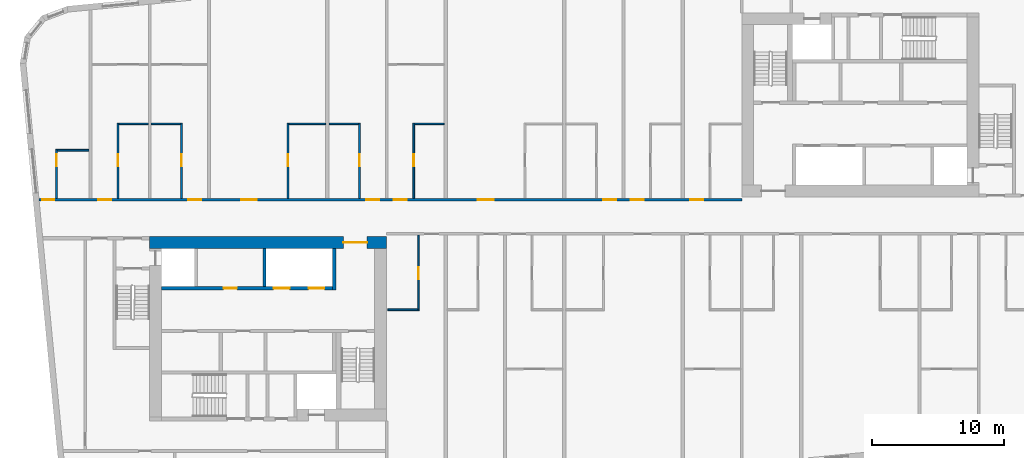
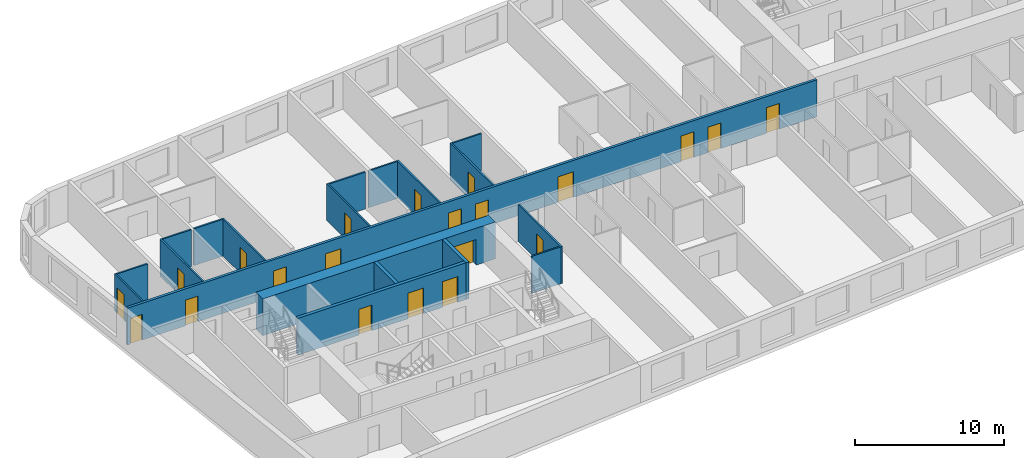
# One storey, part 3 of 12: 21 doors, 19 walls, 21 openings.
"""IFC4 building model written with IfcOpenShell, lengths in metres."""

import ifcopenshell
import ifcopenshell.guid

model = None  # the IFC model being written
_history = None  # IfcOwnerHistory: only IFC2X3 demands one
_inside = {}  # id of a spatial element -> (the spatial element, [elements in it])
_under = {}  # id of a project, library or spatial element -> (it, [spatial elements below it])
_declared = {}  # id of a project -> (the project, [libraries it declares])
_typed = {}  # id of a type object -> (the type object, [elements of that type])
_made_of = {}  # id of a material, layer set ... -> (it, [elements and type objects made of it])


def new_model(schema):
    """Start an empty IFC model of exactly this schema.

    Asked for "IFC4X3", IfcOpenShell would pick the latest addendum, in which some entities
    have other attributes; the version numbers below select the first issue.
    IFC2X3 requires an IfcOwnerHistory on every rooted entity: one is made here for all.
    """
    global model, _history
    if schema == "IFC4X3":
        model = ifcopenshell.file(schema_version=(4, 3, 0, 0))
    else:
        model = ifcopenshell.file(schema=schema)
    _inside.clear()
    _under.clear()
    _declared.clear()
    _typed.clear()
    _made_of.clear()
    _history = None
    if model.schema == "IFC2X3":
        org = make("IfcOrganization", Name="unknown")
        user = make(
            "IfcPersonAndOrganization",
            ThePerson=make("IfcPerson", FamilyName="unknown"),
            TheOrganization=org,
        )
        app = make(
            "IfcApplication",
            ApplicationDeveloper=org,
            Version="unknown",
            ApplicationFullName="unknown",
            ApplicationIdentifier="unknown",
        )
        _history = make(
            "IfcOwnerHistory",
            OwningUser=user,
            OwningApplication=app,
            ChangeAction="ADDED",
            CreationDate=0,
        )
    return model


def make(cls, **values):
    """One entity of the class cls with the attributes given. An attribute that is None is left unset."""
    return model.create_entity(
        cls, **{name: value for name, value in values.items() if value is not None}
    )


def rooted(cls, **values):
    """An entity with a GlobalId (a new one), such as an element, a storey or a relation."""
    return make(cls, GlobalId=ifcopenshell.guid.new(), OwnerHistory=_history, **values)


def si_unit(unit_type, name, prefix=None):
    """IfcSIUnit, for example si_unit("LENGTHUNIT", "METRE", prefix="MILLI")."""
    return make("IfcSIUnit", UnitType=unit_type, Prefix=prefix, Name=name)


def assignment(units):
    """IfcUnitAssignment: the units of a project."""
    return None if units is None else make("IfcUnitAssignment", Units=units)


def point(xyz):
    """IfcCartesianPoint."""
    return None if xyz is None else make("IfcCartesianPoint", Coordinates=xyz)


def direction(xyz):
    """IfcDirection."""
    return None if xyz is None else make("IfcDirection", DirectionRatios=xyz)


def frame(location, z_axis=None, x_axis=None):
    """IfcAxis2Placement3D, a coordinate frame: its origin and axes. An axis left out is left unset."""
    return make(
        "IfcAxis2Placement3D",
        Location=point(location),
        Axis=direction(z_axis),
        RefDirection=direction(x_axis),
    )


def frame_2d(location, x_axis=None):
    """IfcAxis2Placement2D, a coordinate frame in the plane: its origin and x axis."""
    return make(
        "IfcAxis2Placement2D", Location=point(location), RefDirection=direction(x_axis)
    )


def origin():
    """The frame at (0, 0, 0) with its axes left unset."""
    return frame((0.0, 0.0, 0.0))


def place(relative_to, where):
    """IfcLocalPlacement: puts the frame where relative to a parent placement (None: the world)."""
    return make(
        "IfcLocalPlacement", PlacementRelTo=relative_to, RelativePlacement=where
    )


def context(
    kind, dimensions, precision=None, world=None, true_north=None, identifier=None
):
    """IfcGeometricRepresentationContext, for example the 3D "Model" context."""
    return make(
        "IfcGeometricRepresentationContext",
        ContextIdentifier=identifier,
        ContextType=kind,
        CoordinateSpaceDimension=dimensions,
        Precision=precision,
        WorldCoordinateSystem=world,
        TrueNorth=true_north,
    )


def subcontext(parent, identifier, kind, view, scale=None):
    """IfcGeometricRepresentationSubContext, for example "Body" below "Model"."""
    return make(
        "IfcGeometricRepresentationSubContext",
        ContextIdentifier=identifier,
        ContextType=kind,
        ParentContext=parent,
        TargetScale=scale,
        TargetView=view,
    )


def project(units=None, contexts=None):
    """IfcProject with its units and contexts."""
    return rooted(
        "IfcProject",
        Name="project",
        RepresentationContexts=contexts,
        UnitsInContext=assignment(units),
    )


def spatial(cls, under=None, at=None, **own):
    """A site, building, storey or space (cls), placed at a placement, below another one or the project."""
    s = rooted(cls, ObjectPlacement=at, **own)
    if under is not None:
        _under.setdefault(under.id(), (under, []))[1].append(s)
    return s


def profile(cls, at=None, kind="AREA", **sizes):
    """A parametric profile (cls). Its sizes go by their IFC names, for example OverallWidth=200.0."""
    return make(cls, ProfileType=kind, Position=at, **sizes)


def rectangle(**sizes):
    """IfcRectangleProfileDef."""
    return profile("IfcRectangleProfileDef", **sizes)


def extrude(swept, where, along, depth):
    """IfcExtrudedAreaSolid: the profile swept, set in the frame where, extruded along a direction by depth."""
    return make(
        "IfcExtrudedAreaSolid",
        SweptArea=swept,
        Position=where,
        ExtrudedDirection=direction(along),
        Depth=depth,
    )


def shape(context_of_items, identifier, shape_type, items):
    """IfcShapeRepresentation: the items that make up one representation, for example the "Body"."""
    return make(
        "IfcShapeRepresentation",
        ContextOfItems=context_of_items,
        RepresentationIdentifier=identifier,
        RepresentationType=shape_type,
        Items=items,
    )


def material(Name=None, Category=None):
    """IfcMaterial."""
    return make("IfcMaterial", Name=Name, Category=Category)


def layer(
    of_material, thickness, ventilated=None, Name=None, Category=None, Priority=None
):
    """IfcMaterialLayer: one layer of a wall or slab, of a material (None: an air gap)."""
    return make(
        "IfcMaterialLayer",
        Material=of_material,
        LayerThickness=thickness,
        IsVentilated=ventilated,
        Name=Name,
        Category=Category,
        Priority=Priority,
    )


def layer_set(layers, Name=None):
    """IfcMaterialLayerSet."""
    return make("IfcMaterialLayerSet", MaterialLayers=layers, LayerSetName=Name)


def made_of(thing, what):
    """Note that an element or type object is made of a material, layer set ...; save() writes the relation."""
    if what is not None:
        _made_of.setdefault(what.id(), (what, []))[1].append(thing)
    return thing


def type_object(cls, material=None, **own):
    """A type object (cls), such as IfcWallType, which elements share."""
    return made_of(rooted(cls, **own), material)


def element(
    cls,
    number,
    at=None,
    inside=None,
    cuts=None,
    type_object=None,
    material=None,
    context=None,
    identifier="Body",
    shape_type=None,
    held_by="IfcProductDefinitionShape",
    body=None,
    shapes=None,
    **own,
):
    """One element of the class cls, such as IfcWall. Its Tag is "e" and its number.

    at: its placement. inside: the storey or other place that contains it. cuts: it is an
    opening in that element (IfcRelVoidsElement). A single representation is given by context,
    identifier, shape_type and body (its items); several are given by shapes. held_by: the class
    of the entity that holds the representations. save() writes the other relations.
    """
    e = rooted(cls, Tag="e%d" % number, ObjectPlacement=at, **own)
    if body is not None:
        shapes = [shape(context, identifier, shape_type, body)]
    if shapes is not None:
        e.Representation = make(held_by, Representations=shapes)
    if inside is not None:
        _inside.setdefault(inside.id(), (inside, []))[1].append(e)
    if cuts is not None:
        rooted(
            "IfcRelVoidsElement", RelatingBuildingElement=cuts, RelatedOpeningElement=e
        )
    if type_object is not None:
        _typed.setdefault(type_object.id(), (type_object, []))[1].append(e)
    return made_of(e, material)


def fill(opening, filler):
    """IfcRelFillsElement: the door or window that sits in an opening."""
    return rooted(
        "IfcRelFillsElement",
        RelatingOpeningElement=opening,
        RelatedBuildingElement=filler,
    )


def aggregate(whole, parts):
    """IfcRelAggregates: a whole, such as a stair, and the parts it consists of."""
    return rooted("IfcRelAggregates", RelatingObject=whole, RelatedObjects=parts)


def save(model, path):
    """Write the relations noted so far, then the file.

    IfcRelAggregates (storeys below a building ...), IfcRelContainedInSpatialStructure (elements
    in a storey), IfcRelDefinesByType, IfcRelAssociatesMaterial and IfcRelDeclares: one each for
    every whole, place, type object, material and project.
    """
    for whole, parts in _under.values():
        aggregate(whole, parts)
    for where, things in _inside.values():
        rooted(
            "IfcRelContainedInSpatialStructure",
            RelatedElements=things,
            RelatingStructure=where,
        )
    for kind, things in _typed.values():
        rooted("IfcRelDefinesByType", RelatedObjects=things, RelatingType=kind)
    for what, things in _made_of.values():
        rooted("IfcRelAssociatesMaterial", RelatedObjects=things, RelatingMaterial=what)
    for by, libraries in _declared.values():
        rooted("IfcRelDeclares", RelatingContext=by, RelatedDefinitions=libraries)
    model.write(path)


model = new_model("IFC4")

# Units and contexts
model_context = context("Model", 3, precision=1e-05, world=origin(), true_north=direction((0.0, 1.0)))
body_context = subcontext(model_context, "Body", "Model", "MODEL_VIEW")
ifc_project = project(units=[si_unit("LENGTHUNIT", "METRE"), si_unit("AREAUNIT", "SQUARE_METRE"), si_unit("VOLUMEUNIT", "CUBIC_METRE"), si_unit("PLANEANGLEUNIT", "RADIAN"), si_unit("MASSUNIT", "GRAM", prefix="KILO")], contexts=[model_context])

# Site, building, storey
site_placement = place(None, origin())
site = spatial("IfcSite", under=ifc_project, at=site_placement, CompositionType="ELEMENT")
building_placement = place(site_placement, origin())
building = spatial("IfcBuilding", under=site, at=building_placement, Name="Kajstack Hotel Tower", CompositionType="ELEMENT")
storey_placement = place(building_placement, frame((0.0, 0.0, 294.89990234375)))
storey = spatial("IfcBuildingStorey", under=building, at=storey_placement, Name="L74", CompositionType="ELEMENT", Elevation=294.89990234375)

# Wall, opening, door
ifc_material_1 = material(Name="Concrete C60/75", Category="concrete")
ifc_layer_1 = layer(ifc_material_1, 0.89990234375)
ifc_layer_set_1 = layer_set([ifc_layer_1], Name="Core wall 900")
wall_type_1 = type_object("IfcWallType", Name="Core wall 900", PredefinedType="SHEAR", material=ifc_layer_set_1)
wall_1_placement = place(storey_placement, frame((-31.5, -1.949951171875, 0.0), z_axis=(0.0, 0.0, 1.0), x_axis=(1.0, 0.0, 0.0)))
wall_1 = element("IfcWall", 1, at=wall_1_placement, inside=storey, type_object=wall_type_1, Name="Core wall W RN", PredefinedType="SHEAR", context=body_context, shape_type="SweptSolid", body=[
    extrude(rectangle(XDim=18.0, YDim=0.89990234375, at=frame_2d((9.0, 0.0))), origin(), (0.0, 0.0, 1.0), 3.02001953125),
])
opening_1_placement = place(wall_1_placement, frame((14.72509765625, 0.0, 0.0)))
opening_1 = element("IfcOpeningElement", 2, at=opening_1_placement, cuts=wall_1, Name="Opening 74W05", PredefinedType="OPENING", context=body_context, shape_type="SweptSolid", body=[
    extrude(rectangle(XDim=1.800048828125, YDim=2.10009765625, at=frame_2d((0.89990234375, 1.050048828125))), frame((0.0, 0.4599609375, 0.0), z_axis=(0.0, -1.0, 0.0), x_axis=(1.0, 0.0, 0.0)), (0.0, 0.0, 1.0), 0.919921875),
])
ifc_material_2 = material(Name="Glazed steel frame, fire-rated glass", Category="steel")
door_type_1 = type_object("IfcDoorType", Name="Lobby double door 1800", OperationType="DOUBLE_DOOR_DOUBLE_SWING", PredefinedType="DOOR", material=ifc_material_2)
door_1_placement = place(opening_1_placement, origin())
door_1 = element("IfcDoor", 3, at=door_1_placement, inside=storey, type_object=door_type_1, Name="Door 74W05", OperationType="DOUBLE_DOOR_DOUBLE_SWING", OverallHeight=2.10009765625, OverallWidth=1.800048828125, PredefinedType="DOOR", context=body_context, shape_type="SweptSolid", body=[
    extrude(rectangle(XDim=1.800048828125, YDim=2.10009765625, at=frame_2d((0.89990234375, 1.050048828125))), frame((0.0, 0.02490234375, 0.0), z_axis=(0.0, -1.0, 0.0), x_axis=(1.0, 0.0, 0.0)), (0.0, 0.0, 1.0), 0.050048828125),
])
fill(opening_1, door_1)

# Wall, openings, doors
ifc_material_3 = material(Name="Gypsum board on steel studs, mineral wool", Category="steel")
ifc_layer_2 = layer(ifc_material_3, 0.199951171875)
ifc_layer_set_2 = layer_set([ifc_layer_2], Name="Corridor wall 200")
wall_type_2 = type_object("IfcWallType", Name="Corridor wall 200", PredefinedType="PARTITIONING", material=ifc_layer_set_2)
wall_2_placement = place(storey_placement, frame((-39.908935546875, 1.300048828125, 0.0), z_axis=(0.0, 0.0, 1.0), x_axis=(1.0, 0.0, 0.0)))
wall_2 = element("IfcWall", 4, at=wall_2_placement, inside=storey, type_object=wall_type_2, Name="G-wall-L74-003", PredefinedType="PARTITIONING", context=body_context, shape_type="SweptSolid", body=[
    extrude(rectangle(XDim=53.408935546875, YDim=0.199951171875, at=frame_2d((26.70458984375, 0.0))), origin(), (0.0, 0.0, 1.0), 3.02001953125),
])
opening_2_placement = place(wall_2_placement, frame((0.2548828125, 0.0, 0.0)))
opening_2 = element("IfcOpeningElement", 5, at=opening_2_placement, cuts=wall_2, Name="Opening 74001", PredefinedType="OPENING", context=body_context, shape_type="SweptSolid", body=[
    extrude(rectangle(XDim=0.89990234375, YDim=2.10009765625, at=frame_2d((0.449951171875, 1.050048828125))), frame((0.0, 0.10986328125, 0.0), z_axis=(0.0, -1.0, 0.0), x_axis=(1.0, 0.0, 0.0)), (0.0, 0.0, 1.0), 0.219970703125),
])
opening_3_placement = place(wall_2_placement, frame((4.48388671875, 0.0, 0.0)))
opening_3 = element("IfcOpeningElement", 6, at=opening_3_placement, cuts=wall_2, Name="Opening 74003", PredefinedType="OPENING", context=body_context, shape_type="SweptSolid", body=[
    extrude(rectangle(XDim=1.0, YDim=2.10009765625, at=frame_2d((0.5, 1.050048828125))), frame((0.0, 0.10986328125, 0.0), z_axis=(0.0, -1.0, 0.0), x_axis=(1.0, 0.0, 0.0)), (0.0, 0.0, 1.0), 0.219970703125),
])
opening_4_placement = place(wall_2_placement, frame((11.333984375, 0.0, 0.0)))
opening_4 = element("IfcOpeningElement", 7, at=opening_4_placement, cuts=wall_2, Name="Opening 74006", PredefinedType="OPENING", context=body_context, shape_type="SweptSolid", body=[
    extrude(rectangle(XDim=1.0, YDim=2.10009765625, at=frame_2d((0.5, 1.050048828125))), frame((0.0, 0.10986328125, 0.0), z_axis=(0.0, -1.0, 0.0), x_axis=(1.0, 0.0, 0.0)), (0.0, 0.0, 1.0), 0.219970703125),
])
opening_5_placement = place(wall_2_placement, frame((15.346923828125, 0.0, 0.0)))
opening_5 = element("IfcOpeningElement", 8, at=opening_5_placement, cuts=wall_2, Name="Opening 74009", PredefinedType="OPENING", context=body_context, shape_type="SweptSolid", body=[
    extrude(rectangle(XDim=1.199951171875, YDim=2.10009765625, at=frame_2d((0.60009765625, 1.050048828125))), frame((0.0, 0.10986328125, 0.0), z_axis=(0.0, -1.0, 0.0), x_axis=(1.0, 0.0, 0.0)), (0.0, 0.0, 1.0), 0.219970703125),
])
opening_6_placement = place(wall_2_placement, frame((24.85888671875, 0.0, 0.0)))
opening_6 = element("IfcOpeningElement", 9, at=opening_6_placement, cuts=wall_2, Name="Opening 74011", PredefinedType="OPENING", context=body_context, shape_type="SweptSolid", body=[
    extrude(rectangle(XDim=1.0, YDim=2.10009765625, at=frame_2d((0.5, 1.050048828125))), frame((0.0, 0.10986328125, 0.0), z_axis=(0.0, -1.0, 0.0), x_axis=(1.0, 0.0, 0.0)), (0.0, 0.0, 1.0), 0.219970703125),
])
opening_7_placement = place(wall_2_placement, frame((26.958984375, 0.0, 0.0)))
opening_7 = element("IfcOpeningElement", 10, at=opening_7_placement, cuts=wall_2, Name="Opening 74013", PredefinedType="OPENING", context=body_context, shape_type="SweptSolid", body=[
    extrude(rectangle(XDim=1.0, YDim=2.10009765625, at=frame_2d((0.5, 1.050048828125))), frame((0.0, 0.10986328125, 0.0), z_axis=(0.0, -1.0, 0.0), x_axis=(1.0, 0.0, 0.0)), (0.0, 0.0, 1.0), 0.219970703125),
])
opening_8_placement = place(wall_2_placement, frame((33.345947265625, 0.0, 0.0)))
opening_8 = element("IfcOpeningElement", 11, at=opening_8_placement, cuts=wall_2, Name="Opening 74016", PredefinedType="OPENING", context=body_context, shape_type="SweptSolid", body=[
    extrude(rectangle(XDim=1.199951171875, YDim=2.10009765625, at=frame_2d((0.60009765625, 1.050048828125))), frame((0.0, 0.10986328125, 0.0), z_axis=(0.0, -1.0, 0.0), x_axis=(1.0, 0.0, 0.0)), (0.0, 0.0, 1.0), 0.219970703125),
])
opening_9_placement = place(wall_2_placement, frame((42.85888671875, 0.0, 0.0)))
opening_9 = element("IfcOpeningElement", 12, at=opening_9_placement, cuts=wall_2, Name="Opening 74018", PredefinedType="OPENING", context=body_context, shape_type="SweptSolid", body=[
    extrude(rectangle(XDim=1.0, YDim=2.10009765625, at=frame_2d((0.5, 1.050048828125))), frame((0.0, 0.10986328125, 0.0), z_axis=(0.0, -1.0, 0.0), x_axis=(1.0, 0.0, 0.0)), (0.0, 0.0, 1.0), 0.219970703125),
])
opening_10_placement = place(wall_2_placement, frame((44.958984375, 0.0, 0.0)))
opening_10 = element("IfcOpeningElement", 13, at=opening_10_placement, cuts=wall_2, Name="Opening 74020", PredefinedType="OPENING", context=body_context, shape_type="SweptSolid", body=[
    extrude(rectangle(XDim=1.0, YDim=2.10009765625, at=frame_2d((0.5, 1.050048828125))), frame((0.0, 0.10986328125, 0.0), z_axis=(0.0, -1.0, 0.0), x_axis=(1.0, 0.0, 0.0)), (0.0, 0.0, 1.0), 0.219970703125),
])
opening_11_placement = place(wall_2_placement, frame((49.48388671875, 0.0, 0.0)))
opening_11 = element("IfcOpeningElement", 14, at=opening_11_placement, cuts=wall_2, Name="Opening 74022", PredefinedType="OPENING", context=body_context, shape_type="SweptSolid", body=[
    extrude(rectangle(XDim=1.0, YDim=2.10009765625, at=frame_2d((0.5, 1.050048828125))), frame((0.0, 0.10986328125, 0.0), z_axis=(0.0, -1.0, 0.0), x_axis=(1.0, 0.0, 0.0)), (0.0, 0.0, 1.0), 0.219970703125),
])
ifc_material_4 = material(Name="Oak veneer on timber core, fire-rated leaf", Category="wood")
door_type_2 = type_object("IfcDoorType", Name="Flat entrance door 1000", OperationType="SINGLE_SWING_LEFT", PredefinedType="DOOR", material=ifc_material_4)
door_2_placement = place(opening_3_placement, origin())
door_2 = element("IfcDoor", 15, at=door_2_placement, inside=storey, type_object=door_type_2, Name="G-door-L74-03", OperationType="SINGLE_SWING_LEFT", OverallHeight=2.10009765625, OverallWidth=1.0, PredefinedType="DOOR", context=body_context, shape_type="SweptSolid", body=[
    extrude(rectangle(XDim=1.0, YDim=2.10009765625, at=frame_2d((0.5, 1.050048828125))), frame((0.0, 0.02490234375, 0.0), z_axis=(0.0, -1.0, 0.0), x_axis=(1.0, 0.0, 0.0)), (0.0, 0.0, 1.0), 0.050048828125),
])
fill(opening_3, door_2)
door_3_placement = place(opening_4_placement, origin())
door_3 = element("IfcDoor", 16, at=door_3_placement, inside=storey, type_object=door_type_2, Name="G-door-L74-06", OperationType="SINGLE_SWING_RIGHT", OverallHeight=2.10009765625, OverallWidth=1.0, PredefinedType="DOOR", context=body_context, shape_type="SweptSolid", body=[
    extrude(rectangle(XDim=1.0, YDim=2.10009765625, at=frame_2d((0.5, 1.050048828125))), frame((0.0, 0.02490234375, 0.0), z_axis=(0.0, -1.0, 0.0), x_axis=(1.0, 0.0, 0.0)), (0.0, 0.0, 1.0), 0.050048828125),
])
fill(opening_4, door_3)
door_4_placement = place(opening_6_placement, origin())
door_4 = element("IfcDoor", 17, at=door_4_placement, inside=storey, type_object=door_type_2, Name="G-door-L74-11", OperationType="SINGLE_SWING_RIGHT", OverallHeight=2.10009765625, OverallWidth=1.0, PredefinedType="DOOR", context=body_context, shape_type="SweptSolid", body=[
    extrude(rectangle(XDim=1.0, YDim=2.10009765625, at=frame_2d((0.5, 1.050048828125))), frame((0.0, 0.02490234375, 0.0), z_axis=(0.0, -1.0, 0.0), x_axis=(1.0, 0.0, 0.0)), (0.0, 0.0, 1.0), 0.050048828125),
])
fill(opening_6, door_4)
door_5_placement = place(opening_7_placement, origin())
door_5 = element("IfcDoor", 18, at=door_5_placement, inside=storey, type_object=door_type_2, Name="G-door-L74-13", OperationType="SINGLE_SWING_RIGHT", OverallHeight=2.10009765625, OverallWidth=1.0, PredefinedType="DOOR", context=body_context, shape_type="SweptSolid", body=[
    extrude(rectangle(XDim=1.0, YDim=2.10009765625, at=frame_2d((0.5, 1.050048828125))), frame((0.0, 0.02490234375, 0.0), z_axis=(0.0, -1.0, 0.0), x_axis=(1.0, 0.0, 0.0)), (0.0, 0.0, 1.0), 0.050048828125),
])
fill(opening_7, door_5)
door_6_placement = place(opening_9_placement, origin())
door_6 = element("IfcDoor", 19, at=door_6_placement, inside=storey, type_object=door_type_2, Name="G-door-L74-18", OperationType="SINGLE_SWING_RIGHT", OverallHeight=2.10009765625, OverallWidth=1.0, PredefinedType="DOOR", context=body_context, shape_type="SweptSolid", body=[
    extrude(rectangle(XDim=1.0, YDim=2.10009765625, at=frame_2d((0.5, 1.050048828125))), frame((0.0, 0.02490234375, 0.0), z_axis=(0.0, -1.0, 0.0), x_axis=(1.0, 0.0, 0.0)), (0.0, 0.0, 1.0), 0.050048828125),
])
fill(opening_9, door_6)
door_7_placement = place(opening_10_placement, origin())
door_7 = element("IfcDoor", 20, at=door_7_placement, inside=storey, type_object=door_type_2, Name="G-door-L74-20", OperationType="SINGLE_SWING_LEFT", OverallHeight=2.10009765625, OverallWidth=1.0, PredefinedType="DOOR", context=body_context, shape_type="SweptSolid", body=[
    extrude(rectangle(XDim=1.0, YDim=2.10009765625, at=frame_2d((0.5, 1.050048828125))), frame((0.0, 0.02490234375, 0.0), z_axis=(0.0, -1.0, 0.0), x_axis=(1.0, 0.0, 0.0)), (0.0, 0.0, 1.0), 0.050048828125),
])
fill(opening_10, door_7)
door_8_placement = place(opening_11_placement, origin())
door_8 = element("IfcDoor", 21, at=door_8_placement, inside=storey, type_object=door_type_2, Name="G-door-L74-22", OperationType="SINGLE_SWING_LEFT", OverallHeight=2.10009765625, OverallWidth=1.0, PredefinedType="DOOR", context=body_context, shape_type="SweptSolid", body=[
    extrude(rectangle(XDim=1.0, YDim=2.10009765625, at=frame_2d((0.5, 1.050048828125))), frame((0.0, 0.02490234375, 0.0), z_axis=(0.0, -1.0, 0.0), x_axis=(1.0, 0.0, 0.0)), (0.0, 0.0, 1.0), 0.050048828125),
])
fill(opening_11, door_8)
door_type_3 = type_object("IfcDoorType", Name="Flat entrance door 1200", OperationType="SINGLE_SWING_LEFT", PredefinedType="DOOR", material=ifc_material_4)
door_9_placement = place(opening_5_placement, origin())
door_9 = element("IfcDoor", 22, at=door_9_placement, inside=storey, type_object=door_type_3, Name="G-door-L74-09", OperationType="SINGLE_SWING_RIGHT", OverallHeight=2.10009765625, OverallWidth=1.199951171875, PredefinedType="DOOR", context=body_context, shape_type="SweptSolid", body=[
    extrude(rectangle(XDim=1.199951171875, YDim=2.10009765625, at=frame_2d((0.60009765625, 1.050048828125))), frame((0.0, 0.02490234375, 0.0), z_axis=(0.0, -1.0, 0.0), x_axis=(1.0, 0.0, 0.0)), (0.0, 0.0, 1.0), 0.050048828125),
])
fill(opening_5, door_9)
door_10_placement = place(opening_8_placement, origin())
door_10 = element("IfcDoor", 23, at=door_10_placement, inside=storey, type_object=door_type_3, Name="G-door-L74-16", OperationType="SINGLE_SWING_LEFT", OverallHeight=2.10009765625, OverallWidth=1.199951171875, PredefinedType="DOOR", context=body_context, shape_type="SweptSolid", body=[
    extrude(rectangle(XDim=1.199951171875, YDim=2.10009765625, at=frame_2d((0.60009765625, 1.050048828125))), frame((0.0, 0.02490234375, 0.0), z_axis=(0.0, -1.0, 0.0), x_axis=(1.0, 0.0, 0.0)), (0.0, 0.0, 1.0), 0.050048828125),
])
fill(opening_8, door_10)
ifc_material_5 = material(Name="Painted timber door leaf", Category="wood")
door_type_4 = type_object("IfcDoorType", Name="Room door 900", OperationType="SINGLE_SWING_LEFT", PredefinedType="DOOR", material=ifc_material_5)
door_11_placement = place(opening_2_placement, origin())
door_11 = element("IfcDoor", 24, at=door_11_placement, inside=storey, type_object=door_type_4, Name="G-door-L74-01", OperationType="SINGLE_SWING_RIGHT", OverallHeight=2.10009765625, OverallWidth=0.89990234375, PredefinedType="DOOR", context=body_context, shape_type="SweptSolid", body=[
    extrude(rectangle(XDim=0.89990234375, YDim=2.10009765625, at=frame_2d((0.449951171875, 1.050048828125))), frame((0.0, 0.02490234375, 0.0), z_axis=(0.0, -1.0, 0.0), x_axis=(1.0, 0.0, 0.0)), (0.0, 0.0, 1.0), 0.050048828125),
])
fill(opening_2, door_11)

# Wall, opening, door
ifc_material_6 = material(Name="Gypsum board and tiled backer on steel studs", Category="steel")
ifc_layer_3 = layer(ifc_material_6, 0.125)
ifc_layer_set_3 = layer_set([ifc_layer_3], Name="En-suite wall 125")
wall_type_3 = type_object("IfcWallType", Name="En-suite wall 125", PredefinedType="PARTITIONING", material=ifc_layer_set_3)
wall_3_placement = place(storey_placement, frame((-38.5869140625, 1.39990234375, 0.0), z_axis=(0.0, 0.0, 1.0), x_axis=(0.0, 1.0, 0.0)))
wall_3 = element("IfcWall", 25, at=wall_3_placement, inside=storey, type_object=wall_type_3, Name="G-wall-L74-004", PredefinedType="PARTITIONING", context=body_context, shape_type="SweptSolid", body=[
    extrude(rectangle(XDim=3.72509765625, YDim=0.125, at=frame_2d((1.862548828125, 0.0))), origin(), (0.0, 0.0, 1.0), 3.02001953125),
])
opening_12_placement = place(wall_3_placement, frame((2.449951171875, 0.0, 0.0)))
opening_12 = element("IfcOpeningElement", 26, at=opening_12_placement, cuts=wall_3, Name="Opening 74002", PredefinedType="OPENING", context=body_context, shape_type="SweptSolid", body=[
    extrude(rectangle(XDim=0.89990234375, YDim=2.10009765625, at=frame_2d((0.449951171875, 1.050048828125))), frame((0.0, 0.072509765625, 0.0), z_axis=(0.0, -1.0, 0.0), x_axis=(1.0, 0.0, 0.0)), (0.0, 0.0, 1.0), 0.14501953125),
])
door_12_placement = place(opening_12_placement, origin())
door_12 = element("IfcDoor", 27, at=door_12_placement, inside=storey, type_object=door_type_4, Name="G-door-L74-02", OperationType="SINGLE_SWING_RIGHT", OverallHeight=2.10009765625, OverallWidth=0.89990234375, PredefinedType="DOOR", context=body_context, shape_type="SweptSolid", body=[
    extrude(rectangle(XDim=0.89990234375, YDim=2.10009765625, at=frame_2d((0.449951171875, 1.050048828125))), frame((0.0, 0.02490234375, 0.0), z_axis=(0.0, -1.0, 0.0), x_axis=(1.0, 0.0, 0.0)), (0.0, 0.0, 1.0), 0.050048828125),
])
fill(opening_12, door_12)

# Wall
wall_4_placement = place(storey_placement, frame((-38.52490234375, 5.06201171875, 0.0), z_axis=(0.0, 0.0, 1.0), x_axis=(1.0, 0.0, 0.0)))
element("IfcWall", 28, at=wall_4_placement, inside=storey, type_object=wall_type_3, Name="G-wall-L74-005", PredefinedType="PARTITIONING", context=body_context, shape_type="SweptSolid", body=[
    extrude(rectangle(XDim=2.39990234375, YDim=0.125, at=frame_2d((1.199951171875, 0.0))), origin(), (0.0, 0.0, 1.0), 3.02001953125),
])

# Wall, opening, door
wall_5_placement = place(storey_placement, frame((-33.9130859375, 1.39990234375, 0.0), z_axis=(0.0, 0.0, 1.0), x_axis=(0.0, 1.0, 0.0)))
wall_5 = element("IfcWall", 29, at=wall_5_placement, inside=storey, type_object=wall_type_3, Name="G-wall-L74-007", PredefinedType="PARTITIONING", context=body_context, shape_type="SweptSolid", body=[
    extrude(rectangle(XDim=5.72509765625, YDim=0.125, at=frame_2d((2.862548828125, 0.0))), origin(), (0.0, 0.0, 1.0), 3.02001953125),
])
opening_13_placement = place(wall_5_placement, frame((2.449951171875, 0.0, 0.0)))
opening_13 = element("IfcOpeningElement", 30, at=opening_13_placement, cuts=wall_5, Name="Opening 74004", PredefinedType="OPENING", context=body_context, shape_type="SweptSolid", body=[
    extrude(rectangle(XDim=0.89990234375, YDim=2.10009765625, at=frame_2d((0.449951171875, 1.050048828125))), frame((0.0, 0.072509765625, 0.0), z_axis=(0.0, -1.0, 0.0), x_axis=(1.0, 0.0, 0.0)), (0.0, 0.0, 1.0), 0.14501953125),
])
door_13_placement = place(opening_13_placement, origin())
door_13 = element("IfcDoor", 31, at=door_13_placement, inside=storey, type_object=door_type_4, Name="G-door-L74-04", OperationType="SINGLE_SWING_RIGHT", OverallHeight=2.10009765625, OverallWidth=0.89990234375, PredefinedType="DOOR", context=body_context, shape_type="SweptSolid", body=[
    extrude(rectangle(XDim=0.89990234375, YDim=2.10009765625, at=frame_2d((0.449951171875, 1.050048828125))), frame((0.0, 0.02490234375, 0.0), z_axis=(0.0, -1.0, 0.0), x_axis=(1.0, 0.0, 0.0)), (0.0, 0.0, 1.0), 0.050048828125),
])
fill(opening_13, door_13)

# Wall
wall_6_placement = place(storey_placement, frame((-33.85009765625, 7.06201171875, 0.0), z_axis=(0.0, 0.0, 1.0), x_axis=(1.0, 0.0, 0.0)))
element("IfcWall", 32, at=wall_6_placement, inside=storey, type_object=wall_type_3, Name="G-wall-L74-008", PredefinedType="PARTITIONING", context=body_context, shape_type="SweptSolid", body=[
    extrude(rectangle(XDim=2.25, YDim=0.125, at=frame_2d((1.125, 0.0))), origin(), (0.0, 0.0, 1.0), 3.02001953125),
])

# Wall, opening, door
wall_7_placement = place(storey_placement, frame((-29.0869140625, 1.39990234375, 0.0), z_axis=(0.0, 0.0, 1.0), x_axis=(0.0, 1.0, 0.0)))
wall_7 = element("IfcWall", 33, at=wall_7_placement, inside=storey, type_object=wall_type_3, Name="G-wall-L74-010", PredefinedType="PARTITIONING", context=body_context, shape_type="SweptSolid", body=[
    extrude(rectangle(XDim=5.72509765625, YDim=0.125, at=frame_2d((2.862548828125, 0.0))), origin(), (0.0, 0.0, 1.0), 3.02001953125),
])
opening_14_placement = place(wall_7_placement, frame((2.449951171875, 0.0, 0.0)))
opening_14 = element("IfcOpeningElement", 34, at=opening_14_placement, cuts=wall_7, Name="Opening 74007", PredefinedType="OPENING", context=body_context, shape_type="SweptSolid", body=[
    extrude(rectangle(XDim=0.89990234375, YDim=2.10009765625, at=frame_2d((0.449951171875, 1.050048828125))), frame((0.0, 0.072509765625, 0.0), z_axis=(0.0, -1.0, 0.0), x_axis=(1.0, 0.0, 0.0)), (0.0, 0.0, 1.0), 0.14501953125),
])
door_14_placement = place(opening_14_placement, origin())
door_14 = element("IfcDoor", 35, at=door_14_placement, inside=storey, type_object=door_type_4, Name="G-door-L74-07", OperationType="SINGLE_SWING_RIGHT", OverallHeight=2.10009765625, OverallWidth=0.89990234375, PredefinedType="DOOR", context=body_context, shape_type="SweptSolid", body=[
    extrude(rectangle(XDim=0.89990234375, YDim=2.10009765625, at=frame_2d((0.449951171875, 1.050048828125))), frame((0.0, 0.02490234375, 0.0), z_axis=(0.0, -1.0, 0.0), x_axis=(1.0, 0.0, 0.0)), (0.0, 0.0, 1.0), 0.050048828125),
])
fill(opening_14, door_14)

# Wall
wall_8_placement = place(storey_placement, frame((-31.39990234375, 7.06201171875, 0.0), z_axis=(0.0, 0.0, 1.0), x_axis=(1.0, 0.0, 0.0)))
element("IfcWall", 36, at=wall_8_placement, inside=storey, type_object=wall_type_3, Name="G-wall-L74-011", PredefinedType="PARTITIONING", context=body_context, shape_type="SweptSolid", body=[
    extrude(rectangle(XDim=2.25, YDim=0.125, at=frame_2d((1.125, 0.0))), origin(), (0.0, 0.0, 1.0), 3.02001953125),
])

# Wall, opening, door
wall_9_placement = place(storey_placement, frame((-20.988037109375, 1.39990234375, 0.0), z_axis=(0.0, 0.0, 1.0), x_axis=(0.0, 1.0, 0.0)))
wall_9 = element("IfcWall", 37, at=wall_9_placement, inside=storey, type_object=wall_type_3, Name="G-wall-L74-013", PredefinedType="PARTITIONING", context=body_context, shape_type="SweptSolid", body=[
    extrude(rectangle(XDim=5.72509765625, YDim=0.125, at=frame_2d((2.862548828125, 0.0))), origin(), (0.0, 0.0, 1.0), 3.02001953125),
])
opening_15_placement = place(wall_9_placement, frame((2.449951171875, 0.0, 0.0)))
opening_15 = element("IfcOpeningElement", 38, at=opening_15_placement, cuts=wall_9, Name="Opening 74010", PredefinedType="OPENING", context=body_context, shape_type="SweptSolid", body=[
    extrude(rectangle(XDim=0.89990234375, YDim=2.10009765625, at=frame_2d((0.449951171875, 1.050048828125))), frame((0.0, 0.072509765625, 0.0), z_axis=(0.0, -1.0, 0.0), x_axis=(1.0, 0.0, 0.0)), (0.0, 0.0, 1.0), 0.14501953125),
])
door_15_placement = place(opening_15_placement, origin())
door_15 = element("IfcDoor", 39, at=door_15_placement, inside=storey, type_object=door_type_4, Name="G-door-L74-10", OperationType="SINGLE_SWING_RIGHT", OverallHeight=2.10009765625, OverallWidth=0.89990234375, PredefinedType="DOOR", context=body_context, shape_type="SweptSolid", body=[
    extrude(rectangle(XDim=0.89990234375, YDim=2.10009765625, at=frame_2d((0.449951171875, 1.050048828125))), frame((0.0, 0.02490234375, 0.0), z_axis=(0.0, -1.0, 0.0), x_axis=(1.0, 0.0, 0.0)), (0.0, 0.0, 1.0), 0.050048828125),
])
fill(opening_15, door_15)

# Wall
wall_10_placement = place(storey_placement, frame((-20.925048828125, 7.06201171875, 0.0), z_axis=(0.0, 0.0, 1.0), x_axis=(1.0, 0.0, 0.0)))
element("IfcWall", 40, at=wall_10_placement, inside=storey, type_object=wall_type_3, Name="G-wall-L74-014", PredefinedType="PARTITIONING", context=body_context, shape_type="SweptSolid", body=[
    extrude(rectangle(XDim=2.800048828125, YDim=0.125, at=frame_2d((1.39990234375, 0.0))), origin(), (0.0, 0.0, 1.0), 3.02001953125),
])

# Wall, opening, door
wall_11_placement = place(storey_placement, frame((-15.56201171875, 1.39990234375, 0.0), z_axis=(0.0, 0.0, 1.0), x_axis=(0.0, 1.0, 0.0)))
wall_11 = element("IfcWall", 41, at=wall_11_placement, inside=storey, type_object=wall_type_3, Name="G-wall-L74-016", PredefinedType="PARTITIONING", context=body_context, shape_type="SweptSolid", body=[
    extrude(rectangle(XDim=5.72509765625, YDim=0.125, at=frame_2d((2.862548828125, 0.0))), origin(), (0.0, 0.0, 1.0), 3.02001953125),
])
opening_16_placement = place(wall_11_placement, frame((2.449951171875, 0.0, 0.0)))
opening_16 = element("IfcOpeningElement", 42, at=opening_16_placement, cuts=wall_11, Name="Opening 74012", PredefinedType="OPENING", context=body_context, shape_type="SweptSolid", body=[
    extrude(rectangle(XDim=0.89990234375, YDim=2.10009765625, at=frame_2d((0.449951171875, 1.050048828125))), frame((0.0, 0.072509765625, 0.0), z_axis=(0.0, -1.0, 0.0), x_axis=(1.0, 0.0, 0.0)), (0.0, 0.0, 1.0), 0.14501953125),
])
door_16_placement = place(opening_16_placement, origin())
door_16 = element("IfcDoor", 43, at=door_16_placement, inside=storey, type_object=door_type_4, Name="G-door-L74-12", OperationType="SINGLE_SWING_RIGHT", OverallHeight=2.10009765625, OverallWidth=0.89990234375, PredefinedType="DOOR", context=body_context, shape_type="SweptSolid", body=[
    extrude(rectangle(XDim=0.89990234375, YDim=2.10009765625, at=frame_2d((0.449951171875, 1.050048828125))), frame((0.0, 0.02490234375, 0.0), z_axis=(0.0, -1.0, 0.0), x_axis=(1.0, 0.0, 0.0)), (0.0, 0.0, 1.0), 0.050048828125),
])
fill(opening_16, door_16)

# Wall
wall_12_placement = place(storey_placement, frame((-17.875, 7.06201171875, 0.0), z_axis=(0.0, 0.0, 1.0), x_axis=(1.0, 0.0, 0.0)))
element("IfcWall", 44, at=wall_12_placement, inside=storey, type_object=wall_type_3, Name="G-wall-L74-017", PredefinedType="PARTITIONING", context=body_context, shape_type="SweptSolid", body=[
    extrude(rectangle(XDim=2.25, YDim=0.125, at=frame_2d((1.125, 0.0))), origin(), (0.0, 0.0, 1.0), 3.02001953125),
])

# Wall, opening, door
wall_13_placement = place(storey_placement, frame((-11.43798828125, 1.39990234375, 0.0), z_axis=(0.0, 0.0, 1.0), x_axis=(0.0, 1.0, 0.0)))
wall_13 = element("IfcWall", 45, at=wall_13_placement, inside=storey, type_object=wall_type_3, Name="G-wall-L74-018", PredefinedType="PARTITIONING", context=body_context, shape_type="SweptSolid", body=[
    extrude(rectangle(XDim=5.72509765625, YDim=0.125, at=frame_2d((2.862548828125, 0.0))), origin(), (0.0, 0.0, 1.0), 3.02001953125),
])
opening_17_placement = place(wall_13_placement, frame((2.449951171875, 0.0, 0.0)))
opening_17 = element("IfcOpeningElement", 46, at=opening_17_placement, cuts=wall_13, Name="Opening 74014", PredefinedType="OPENING", context=body_context, shape_type="SweptSolid", body=[
    extrude(rectangle(XDim=0.89990234375, YDim=2.10009765625, at=frame_2d((0.449951171875, 1.050048828125))), frame((0.0, 0.072509765625, 0.0), z_axis=(0.0, -1.0, 0.0), x_axis=(1.0, 0.0, 0.0)), (0.0, 0.0, 1.0), 0.14501953125),
])
door_17_placement = place(opening_17_placement, origin())
door_17 = element("IfcDoor", 47, at=door_17_placement, inside=storey, type_object=door_type_4, Name="G-door-L74-14", OperationType="SINGLE_SWING_LEFT", OverallHeight=2.10009765625, OverallWidth=0.89990234375, PredefinedType="DOOR", context=body_context, shape_type="SweptSolid", body=[
    extrude(rectangle(XDim=0.89990234375, YDim=2.10009765625, at=frame_2d((0.449951171875, 1.050048828125))), frame((0.0, 0.02490234375, 0.0), z_axis=(0.0, -1.0, 0.0), x_axis=(1.0, 0.0, 0.0)), (0.0, 0.0, 1.0), 0.050048828125),
])
fill(opening_17, door_17)

# Wall
wall_14_placement = place(storey_placement, frame((-11.375, 7.06201171875, 0.0), z_axis=(0.0, 0.0, 1.0), x_axis=(1.0, 0.0, 0.0)))
element("IfcWall", 48, at=wall_14_placement, inside=storey, type_object=wall_type_3, Name="G-wall-L74-019", PredefinedType="PARTITIONING", context=body_context, shape_type="SweptSolid", body=[
    extrude(rectangle(XDim=2.25, YDim=0.125, at=frame_2d((1.125, 0.0))), origin(), (0.0, 0.0, 1.0), 3.02001953125),
])

# Wall, opening, door
wall_15_placement = place(storey_placement, frame((-11.087890625, -7.125, 0.0), z_axis=(0.0, 0.0, 1.0), x_axis=(0.0, 1.0, 0.0)))
wall_15 = element("IfcWall", 49, at=wall_15_placement, inside=storey, type_object=wall_type_3, Name="G-wall-L74-031", PredefinedType="PARTITIONING", context=body_context, shape_type="SweptSolid", body=[
    extrude(rectangle(XDim=5.72509765625, YDim=0.125, at=frame_2d((2.862548828125, 0.0))), origin(), (0.0, 0.0, 1.0), 3.02001953125),
])
opening_18_placement = place(wall_15_placement, frame((2.375, 0.0, 0.0)))
opening_18 = element("IfcOpeningElement", 50, at=opening_18_placement, cuts=wall_15, Name="Opening 74025", PredefinedType="OPENING", context=body_context, shape_type="SweptSolid", body=[
    extrude(rectangle(XDim=0.89990234375, YDim=2.10009765625, at=frame_2d((0.449951171875, 1.050048828125))), frame((0.0, 0.072509765625, 0.0), z_axis=(0.0, -1.0, 0.0), x_axis=(1.0, 0.0, 0.0)), (0.0, 0.0, 1.0), 0.14501953125),
])
door_18_placement = place(opening_18_placement, origin())
door_18 = element("IfcDoor", 51, at=door_18_placement, inside=storey, type_object=door_type_4, Name="G-door-L74-25", OperationType="SINGLE_SWING_RIGHT", OverallHeight=2.10009765625, OverallWidth=0.89990234375, PredefinedType="DOOR", context=body_context, shape_type="SweptSolid", body=[
    extrude(rectangle(XDim=0.89990234375, YDim=2.10009765625, at=frame_2d((0.449951171875, 1.050048828125))), frame((0.0, 0.02490234375, 0.0), z_axis=(0.0, -1.0, 0.0), x_axis=(1.0, 0.0, 0.0)), (0.0, 0.0, 1.0), 0.050048828125),
])
fill(opening_18, door_18)

# Walls
wall_16_placement = place(storey_placement, frame((-13.39990234375, -7.06201171875, 0.0), z_axis=(0.0, 0.0, 1.0), x_axis=(1.0, 0.0, 0.0)))
element("IfcWall", 52, at=wall_16_placement, inside=storey, type_object=wall_type_3, Name="G-wall-L74-032", PredefinedType="PARTITIONING", context=body_context, shape_type="SweptSolid", body=[
    extrude(rectangle(XDim=2.25, YDim=0.125, at=frame_2d((1.125, 0.0))), origin(), (0.0, 0.0, 1.0), 3.02001953125),
])
ifc_material_7 = material(Name="Concrete C50/60", Category="concrete")
ifc_layer_4 = layer(ifc_material_7, 0.300048828125)
ifc_layer_set_4 = layer_set([ifc_layer_4], Name="Hoistway divider wall 300")
wall_type_4 = type_object("IfcWallType", Name="Hoistway divider wall 300", PredefinedType="SHEAR", material=ifc_layer_set_4)
wall_17_placement = place(storey_placement, frame((-22.77490234375, -5.300048828125, 0.0), z_axis=(0.0, 0.0, 1.0), x_axis=(0.0, 1.0, 0.0)))
element("IfcWall", 53, at=wall_17_placement, inside=storey, type_object=wall_type_4, Name="Core wall W AP2", PredefinedType="SHEAR", context=body_context, shape_type="SweptSolid", body=[
    extrude(rectangle(XDim=2.900146484375, YDim=0.25, at=frame_2d((1.4501953125, 0.0))), origin(), (0.0, 0.0, 1.0), 3.02001953125),
])

# Wall, openings, doors
ifc_layer_5 = layer(ifc_material_7, 0.25)
ifc_layer_set_5 = layer_set([ifc_layer_5], Name="Shaft wall 250")
wall_type_5 = type_object("IfcWallType", Name="Shaft wall 250", PredefinedType="SHEAR", material=ifc_layer_set_5)
wall_18_placement = place(storey_placement, frame((-30.60009765625, -5.425048828125, 0.0), z_axis=(0.0, 0.0, 1.0), x_axis=(1.0, 0.0, 0.0)))
wall_18 = element("IfcWall", 54, at=wall_18_placement, inside=storey, type_object=wall_type_5, Name="Core wall W FA", PredefinedType="SHEAR", context=body_context, shape_type="SweptSolid", body=[
    extrude(rectangle(XDim=13.0, YDim=0.25, at=frame_2d((6.5, 0.0))), origin(), (0.0, 0.0, 1.0), 3.02001953125),
])
opening_19_placement = place(wall_18_placement, frame((8.52490234375, 0.0, 0.0)))
opening_19 = element("IfcOpeningElement", 55, at=opening_19_placement, cuts=wall_18, Name="Opening LD-HR1", PredefinedType="OPENING", context=body_context, shape_type="SweptSolid", body=[
    extrude(rectangle(XDim=1.199951171875, YDim=2.10009765625, at=frame_2d((0.60009765625, 1.050048828125))), frame((0.0, 0.135009765625, 0.0), z_axis=(0.0, -1.0, 0.0), x_axis=(1.0, 0.0, 0.0)), (0.0, 0.0, 1.0), 0.27001953125),
])
opening_20_placement = place(wall_18_placement, frame((11.175048828125, 0.0, 0.0)))
opening_20 = element("IfcOpeningElement", 56, at=opening_20_placement, cuts=wall_18, Name="Opening LD-HR2", PredefinedType="OPENING", context=body_context, shape_type="SweptSolid", body=[
    extrude(rectangle(XDim=1.199951171875, YDim=2.10009765625, at=frame_2d((0.60009765625, 1.050048828125))), frame((0.0, 0.135009765625, 0.0), z_axis=(0.0, -1.0, 0.0), x_axis=(1.0, 0.0, 0.0)), (0.0, 0.0, 1.0), 0.27001953125),
])
opening_21_placement = place(wall_18_placement, frame((4.72509765625, 0.0, 0.0)))
opening_21 = element("IfcOpeningElement", 57, at=opening_21_placement, cuts=wall_18, Name="Opening 74W16", PredefinedType="OPENING", context=body_context, shape_type="SweptSolid", body=[
    extrude(rectangle(XDim=1.0, YDim=2.10009765625, at=frame_2d((0.5, 1.050048828125))), frame((0.0, 0.135009765625, 0.0), z_axis=(0.0, -1.0, 0.0), x_axis=(1.0, 0.0, 0.0)), (0.0, 0.0, 1.0), 0.27001953125),
])
ifc_material_8 = material(Name="Stainless steel", Category="steel")
door_type_5 = type_object("IfcDoorType", Name="Lift landing door 1200", OperationType="SLIDING_TO_LEFT", PredefinedType="DOOR", material=ifc_material_8)
door_19_placement = place(opening_19_placement, origin())
door_19 = element("IfcDoor", 58, at=door_19_placement, inside=storey, type_object=door_type_5, Name="Landing door HR1", OperationType="SLIDING_TO_LEFT", OverallHeight=2.10009765625, OverallWidth=1.199951171875, PredefinedType="DOOR", context=body_context, shape_type="SweptSolid", body=[
    extrude(rectangle(XDim=1.199951171875, YDim=2.10009765625, at=frame_2d((0.60009765625, 1.050048828125))), frame((0.0, 0.02490234375, 0.0), z_axis=(0.0, -1.0, 0.0), x_axis=(1.0, 0.0, 0.0)), (0.0, 0.0, 1.0), 0.050048828125),
])
fill(opening_19, door_19)
door_20_placement = place(opening_20_placement, origin())
door_20 = element("IfcDoor", 59, at=door_20_placement, inside=storey, type_object=door_type_5, Name="Landing door HR2", OperationType="SLIDING_TO_RIGHT", OverallHeight=2.10009765625, OverallWidth=1.199951171875, PredefinedType="DOOR", context=body_context, shape_type="SweptSolid", body=[
    extrude(rectangle(XDim=1.199951171875, YDim=2.10009765625, at=frame_2d((0.60009765625, 1.050048828125))), frame((0.0, 0.02490234375, 0.0), z_axis=(0.0, -1.0, 0.0), x_axis=(1.0, 0.0, 0.0)), (0.0, 0.0, 1.0), 0.050048828125),
])
fill(opening_20, door_20)
ifc_material_9 = material(Name="Timber leaf, fire-rated", Category="wood")
door_type_6 = type_object("IfcDoorType", Name="Service room door 1000", OperationType="SINGLE_SWING_LEFT", PredefinedType="DOOR", material=ifc_material_9)
door_21_placement = place(opening_21_placement, origin())
door_21 = element("IfcDoor", 60, at=door_21_placement, inside=storey, type_object=door_type_6, Name="Door 74W16", OperationType="SINGLE_SWING_RIGHT", OverallHeight=2.10009765625, OverallWidth=1.0, PredefinedType="DOOR", context=body_context, shape_type="SweptSolid", body=[
    extrude(rectangle(XDim=1.0, YDim=2.10009765625, at=frame_2d((0.5, 1.050048828125))), frame((0.0, 0.02490234375, 0.0), z_axis=(0.0, -1.0, 0.0), x_axis=(1.0, 0.0, 0.0)), (0.0, 0.0, 1.0), 0.050048828125),
])
fill(opening_21, door_21)

# Wall
wall_19_placement = place(storey_placement, frame((-17.47509765625, -5.550048828125, 0.0), z_axis=(0.0, 0.0, 1.0), x_axis=(0.0, 1.0, 0.0)))
element("IfcWall", 61, at=wall_19_placement, inside=storey, type_object=wall_type_5, Name="Core wall W AE", PredefinedType="SHEAR", context=body_context, shape_type="SweptSolid", body=[
    extrude(rectangle(XDim=3.150146484375, YDim=0.25, at=frame_2d((1.5751953125, 0.0))), origin(), (0.0, 0.0, 1.0), 3.02001953125),
])

save(model, "model.ifc")
